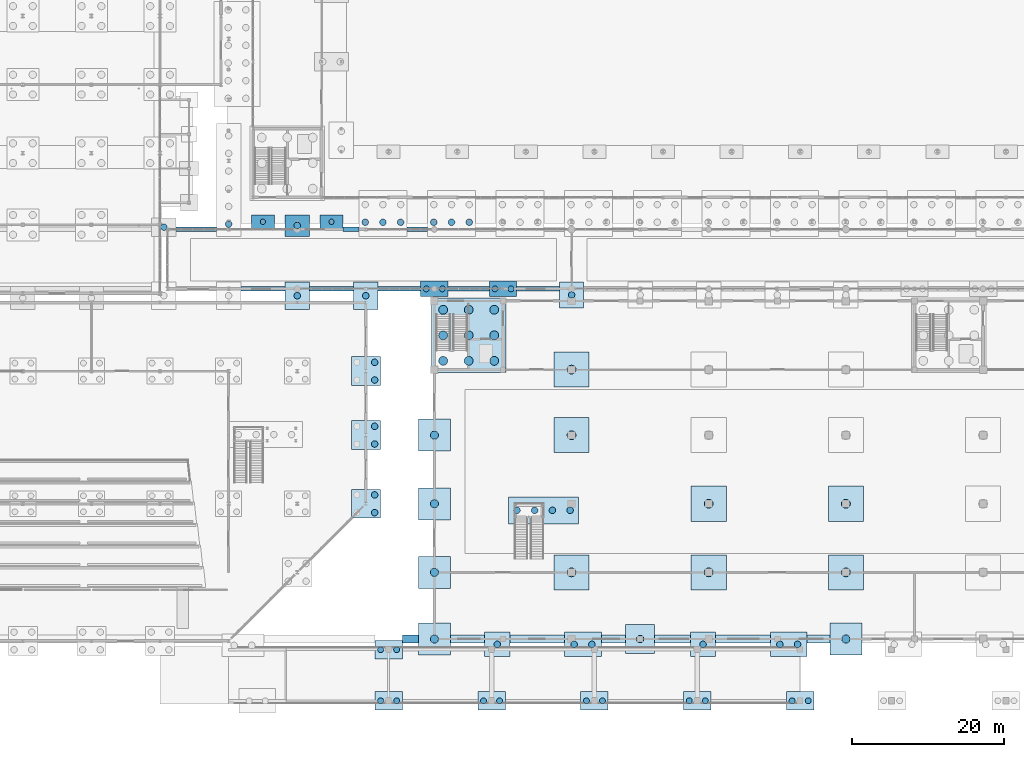
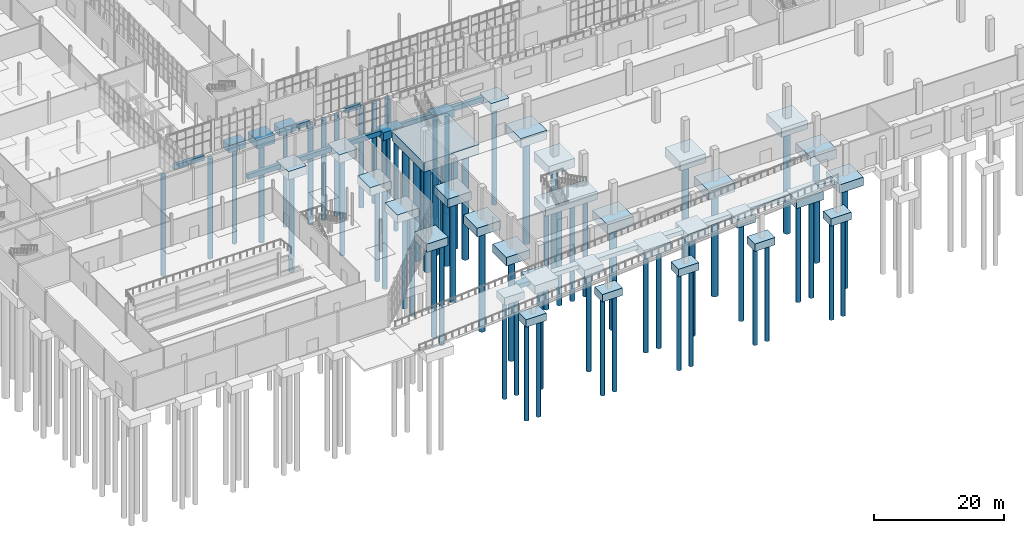
# One storey, part 2 of 131: 68 piles, 51 footings.
"""IFC4 building model written with IfcOpenShell, lengths in metres."""

import ifcopenshell
import ifcopenshell.guid

model = None  # the IFC model being written
_history = None  # IfcOwnerHistory: only IFC2X3 demands one
_inside = {}  # id of a spatial element -> (the spatial element, [elements in it])
_under = {}  # id of a project, library or spatial element -> (it, [spatial elements below it])
_declared = {}  # id of a project -> (the project, [libraries it declares])
_typed = {}  # id of a type object -> (the type object, [elements of that type])
_made_of = {}  # id of a material, layer set ... -> (it, [elements and type objects made of it])


def new_model(schema):
    """Start an empty IFC model of exactly this schema.

    Asked for "IFC4X3", IfcOpenShell would pick the latest addendum, in which some entities
    have other attributes; the version numbers below select the first issue.
    IFC2X3 requires an IfcOwnerHistory on every rooted entity: one is made here for all.
    """
    global model, _history
    if schema == "IFC4X3":
        model = ifcopenshell.file(schema_version=(4, 3, 0, 0))
    else:
        model = ifcopenshell.file(schema=schema)
    _inside.clear()
    _under.clear()
    _declared.clear()
    _typed.clear()
    _made_of.clear()
    _history = None
    if model.schema == "IFC2X3":
        org = make("IfcOrganization", Name="unknown")
        user = make(
            "IfcPersonAndOrganization",
            ThePerson=make("IfcPerson", FamilyName="unknown"),
            TheOrganization=org,
        )
        app = make(
            "IfcApplication",
            ApplicationDeveloper=org,
            Version="unknown",
            ApplicationFullName="unknown",
            ApplicationIdentifier="unknown",
        )
        _history = make(
            "IfcOwnerHistory",
            OwningUser=user,
            OwningApplication=app,
            ChangeAction="ADDED",
            CreationDate=0,
        )
    return model


def make(cls, **values):
    """One entity of the class cls with the attributes given. An attribute that is None is left unset."""
    return model.create_entity(
        cls, **{name: value for name, value in values.items() if value is not None}
    )


def rooted(cls, **values):
    """An entity with a GlobalId (a new one), such as an element, a storey or a relation."""
    return make(cls, GlobalId=ifcopenshell.guid.new(), OwnerHistory=_history, **values)


def si_unit(unit_type, name, prefix=None):
    """IfcSIUnit, for example si_unit("LENGTHUNIT", "METRE", prefix="MILLI")."""
    return make("IfcSIUnit", UnitType=unit_type, Prefix=prefix, Name=name)


def assignment(units):
    """IfcUnitAssignment: the units of a project."""
    return None if units is None else make("IfcUnitAssignment", Units=units)


def point(xyz):
    """IfcCartesianPoint."""
    return None if xyz is None else make("IfcCartesianPoint", Coordinates=xyz)


def direction(xyz):
    """IfcDirection."""
    return None if xyz is None else make("IfcDirection", DirectionRatios=xyz)


def frame(location, z_axis=None, x_axis=None):
    """IfcAxis2Placement3D, a coordinate frame: its origin and axes. An axis left out is left unset."""
    return make(
        "IfcAxis2Placement3D",
        Location=point(location),
        Axis=direction(z_axis),
        RefDirection=direction(x_axis),
    )


def frame_2d(location, x_axis=None):
    """IfcAxis2Placement2D, a coordinate frame in the plane: its origin and x axis."""
    return make(
        "IfcAxis2Placement2D", Location=point(location), RefDirection=direction(x_axis)
    )


def origin():
    """The frame at (0, 0, 0) with its axes left unset."""
    return frame((0.0, 0.0, 0.0))


def origin_2d():
    """The frame at (0, 0) in the plane with its x axis left unset."""
    return frame_2d((0.0, 0.0))


def place(relative_to, where):
    """IfcLocalPlacement: puts the frame where relative to a parent placement (None: the world)."""
    return make(
        "IfcLocalPlacement", PlacementRelTo=relative_to, RelativePlacement=where
    )


def context(
    kind, dimensions, precision=None, world=None, true_north=None, identifier=None
):
    """IfcGeometricRepresentationContext, for example the 3D "Model" context."""
    return make(
        "IfcGeometricRepresentationContext",
        ContextIdentifier=identifier,
        ContextType=kind,
        CoordinateSpaceDimension=dimensions,
        Precision=precision,
        WorldCoordinateSystem=world,
        TrueNorth=true_north,
    )


def subcontext(parent, identifier, kind, view, scale=None):
    """IfcGeometricRepresentationSubContext, for example "Body" below "Model"."""
    return make(
        "IfcGeometricRepresentationSubContext",
        ContextIdentifier=identifier,
        ContextType=kind,
        ParentContext=parent,
        TargetScale=scale,
        TargetView=view,
    )


def project(units=None, contexts=None):
    """IfcProject with its units and contexts."""
    return rooted(
        "IfcProject",
        Name="project",
        RepresentationContexts=contexts,
        UnitsInContext=assignment(units),
    )


def spatial(cls, under=None, at=None, **own):
    """A site, building, storey or space (cls), placed at a placement, below another one or the project."""
    s = rooted(cls, ObjectPlacement=at, **own)
    if under is not None:
        _under.setdefault(under.id(), (under, []))[1].append(s)
    return s


def profile(cls, at=None, kind="AREA", **sizes):
    """A parametric profile (cls). Its sizes go by their IFC names, for example OverallWidth=200.0."""
    return make(cls, ProfileType=kind, Position=at, **sizes)


def rectangle(**sizes):
    """IfcRectangleProfileDef."""
    return profile("IfcRectangleProfileDef", **sizes)


def circle(**sizes):
    """IfcCircleProfileDef."""
    return profile("IfcCircleProfileDef", **sizes)


def extrude(swept, where, along, depth):
    """IfcExtrudedAreaSolid: the profile swept, set in the frame where, extruded along a direction by depth."""
    return make(
        "IfcExtrudedAreaSolid",
        SweptArea=swept,
        Position=where,
        ExtrudedDirection=direction(along),
        Depth=depth,
    )


def shape(context_of_items, identifier, shape_type, items):
    """IfcShapeRepresentation: the items that make up one representation, for example the "Body"."""
    return make(
        "IfcShapeRepresentation",
        ContextOfItems=context_of_items,
        RepresentationIdentifier=identifier,
        RepresentationType=shape_type,
        Items=items,
    )


def material(Name=None, Category=None):
    """IfcMaterial."""
    return make("IfcMaterial", Name=Name, Category=Category)


def material_profile(
    of_material, cross_section, Name=None, Category=None, Priority=None
):
    """IfcMaterialProfile: a cross section and its material."""
    return make(
        "IfcMaterialProfile",
        Name=Name,
        Material=of_material,
        Profile=cross_section,
        Priority=Priority,
        Category=Category,
    )


def profile_set(profiles, Name=None, composite=None):
    """IfcMaterialProfileSet."""
    return make(
        "IfcMaterialProfileSet",
        Name=Name,
        MaterialProfiles=profiles,
        CompositeProfile=composite,
    )


def made_of(thing, what):
    """Note that an element or type object is made of a material, layer set ...; save() writes the relation."""
    if what is not None:
        _made_of.setdefault(what.id(), (what, []))[1].append(thing)
    return thing


def type_object(cls, material=None, **own):
    """A type object (cls), such as IfcWallType, which elements share."""
    return made_of(rooted(cls, **own), material)


def element(
    cls,
    number,
    at=None,
    inside=None,
    cuts=None,
    type_object=None,
    material=None,
    context=None,
    identifier="Body",
    shape_type=None,
    held_by="IfcProductDefinitionShape",
    body=None,
    shapes=None,
    **own,
):
    """One element of the class cls, such as IfcWall. Its Tag is "e" and its number.

    at: its placement. inside: the storey or other place that contains it. cuts: it is an
    opening in that element (IfcRelVoidsElement). A single representation is given by context,
    identifier, shape_type and body (its items); several are given by shapes. held_by: the class
    of the entity that holds the representations. save() writes the other relations.
    """
    e = rooted(cls, Tag="e%d" % number, ObjectPlacement=at, **own)
    if body is not None:
        shapes = [shape(context, identifier, shape_type, body)]
    if shapes is not None:
        e.Representation = make(held_by, Representations=shapes)
    if inside is not None:
        _inside.setdefault(inside.id(), (inside, []))[1].append(e)
    if cuts is not None:
        rooted(
            "IfcRelVoidsElement", RelatingBuildingElement=cuts, RelatedOpeningElement=e
        )
    if type_object is not None:
        _typed.setdefault(type_object.id(), (type_object, []))[1].append(e)
    return made_of(e, material)


def aggregate(whole, parts):
    """IfcRelAggregates: a whole, such as a stair, and the parts it consists of."""
    return rooted("IfcRelAggregates", RelatingObject=whole, RelatedObjects=parts)


def save(model, path):
    """Write the relations noted so far, then the file.

    IfcRelAggregates (storeys below a building ...), IfcRelContainedInSpatialStructure (elements
    in a storey), IfcRelDefinesByType, IfcRelAssociatesMaterial and IfcRelDeclares: one each for
    every whole, place, type object, material and project.
    """
    for whole, parts in _under.values():
        aggregate(whole, parts)
    for where, things in _inside.values():
        rooted(
            "IfcRelContainedInSpatialStructure",
            RelatedElements=things,
            RelatingStructure=where,
        )
    for kind, things in _typed.values():
        rooted("IfcRelDefinesByType", RelatedObjects=things, RelatingType=kind)
    for what, things in _made_of.values():
        rooted("IfcRelAssociatesMaterial", RelatedObjects=things, RelatingMaterial=what)
    for by, libraries in _declared.values():
        rooted("IfcRelDeclares", RelatingContext=by, RelatedDefinitions=libraries)
    model.write(path)


model = new_model("IFC4")

# Units and contexts
model_context = context("Model", 3, precision=1e-05, world=origin(), true_north=direction((0.0, 1.0)))
body_context = subcontext(model_context, "Body", "Model", "MODEL_VIEW")
ifc_project = project(units=[si_unit("LENGTHUNIT", "METRE"), si_unit("AREAUNIT", "SQUARE_METRE"), si_unit("VOLUMEUNIT", "CUBIC_METRE"), si_unit("PLANEANGLEUNIT", "RADIAN"), si_unit("MASSUNIT", "GRAM", prefix="KILO")], contexts=[model_context])

# Site, building, storey
site_placement = place(None, origin())
site = spatial("IfcSite", under=ifc_project, at=site_placement, CompositionType="ELEMENT")
building_placement = place(site_placement, origin())
building = spatial("IfcBuilding", under=site, at=building_placement, Name="Cazmaro Siding Exhibition Halls", CompositionType="ELEMENT")
storey_placement = place(building_placement, origin())
storey = spatial("IfcBuildingStorey", under=building, at=storey_placement, Name="L00", CompositionType="ELEMENT", Elevation=0.0)

# Footings
ifc_material_1 = material(Name="Concrete f'c 35 MPa", Category="concrete")
footing_type_1 = type_object("IfcFootingType", Name="GB-0210", PredefinedType="FOOTING_BEAM", material=ifc_material_1)
footing_1_placement = place(storey_placement, frame((61.050048828125, 63.0, -0.89990234375), z_axis=(0.0, 0.0, 1.0), x_axis=(1.0, 0.0, 0.0)))
element("IfcFooting", 1, at=footing_1_placement, inside=storey, type_object=footing_type_1, Name="Seismic tie ground beam GB-0210 FTG-0267", PredefinedType="FOOTING_BEAM", context=body_context, shape_type="SweptSolid", body=[
    extrude(rectangle(XDim=2.10009765625, YDim=0.60009765625, at=origin_2d()), origin(), (0.0, 0.0, 1.0), 0.89990234375),
])
ifc_material_2 = material(Name="Concrete f'c 35 MPa", Category="concrete")
footing_type_2 = type_object("IfcFootingType", Name="GB-0270", PredefinedType="FOOTING_BEAM", material=ifc_material_2)
footing_2_placement = place(storey_placement, frame((69.75, 63.0, -0.89990234375), z_axis=(0.0, 0.0, 1.0), x_axis=(1.0, 0.0, 0.0)))
element("IfcFooting", 2, at=footing_2_placement, inside=storey, type_object=footing_type_2, Name="Seismic tie ground beam GB-0270 FTG-0268", PredefinedType="FOOTING_BEAM", context=body_context, shape_type="SweptSolid", body=[
    extrude(rectangle(XDim=2.699951171875, YDim=0.60009765625, at=origin_2d()), origin(), (0.0, 0.0, 1.0), 0.89990234375),
])
ifc_material_3 = material(Name="Concrete f'c 35 MPa", Category="concrete")
footing_type_3 = type_object("IfcFootingType", Name="GB-0530", PredefinedType="FOOTING_BEAM", material=ifc_material_3)
footing_3_placement = place(storey_placement, frame((40.75, 63.0, -0.89990234375), z_axis=(0.0, 0.0, 1.0), x_axis=(1.0, 0.0, 0.0)))
element("IfcFooting", 3, at=footing_3_placement, inside=storey, type_object=footing_type_3, Name="Seismic tie ground beam GB-0530 FTG-0266", PredefinedType="FOOTING_BEAM", context=body_context, shape_type="SweptSolid", body=[
    extrude(rectangle(XDim=5.300048828125, YDim=0.60009765625, at=origin_2d()), origin(), (0.0, 0.0, 1.0), 0.89990234375),
])
ifc_material_4 = material(Name="Concrete f'c 35 MPa", Category="concrete")
footing_type_4 = type_object("IfcFootingType", Name="GB-0540", PredefinedType="FOOTING_BEAM", material=ifc_material_4)
footing_4_placement = place(storey_placement, frame((76.5, 55.199951171875, -0.89990234375), z_axis=(0.0, 0.0, 1.0), x_axis=(1.0, 0.0, 0.0)))
element("IfcFooting", 4, at=footing_4_placement, inside=storey, type_object=footing_type_4, Name="Seismic tie ground beam GB-0540 FTG-0250", PredefinedType="FOOTING_BEAM", context=body_context, shape_type="SweptSolid", body=[
    extrude(rectangle(XDim=5.39990234375, YDim=0.60009765625, at=origin_2d()), origin(), (0.0, 0.0, 1.0), 0.89990234375),
])
ifc_material_5 = material(Name="Concrete f'c 35 MPa", Category="concrete")
footing_type_5 = type_object("IfcFootingType", Name="GB-0560", PredefinedType="FOOTING_BEAM", material=ifc_material_5)
for number, where, z_axis, x_axis, name in (
    (5, (67.39990234375, 55.199951171875, -0.89990234375), (0.0, 0.0, 1.0), (1.0, 0.0, 0.0), "Seismic tie ground beam GB-0560 FTG-0249"),
    (6, (85.60009765625, 55.199951171875, -0.89990234375), (0.0, 0.0, 1.0), (1.0, 0.0, 0.0), "Seismic tie ground beam GB-0560 FTG-0251"),
):
    element("IfcFooting", number, at=place(storey_placement, frame(where, z_axis=z_axis, x_axis=x_axis)), inside=storey, type_object=footing_type_5, Name=name, PredefinedType="FOOTING_BEAM", context=body_context, shape_type="SweptSolid", body=[
        extrude(rectangle(XDim=5.60009765625, YDim=0.60009765625, at=origin_2d()), origin(), (0.0, 0.0, 1.0), 0.89990234375),
    ])
ifc_material_6 = material(Name="Concrete f'c 35 MPa", Category="concrete")
footing_type_6 = type_object("IfcFootingType", Name="GB-0580", PredefinedType="FOOTING_BEAM", material=ifc_material_6)
for number, where, z_axis, x_axis, name in (
    (7, (49.5, 55.199951171875, -0.89990234375), (0.0, 0.0, 1.0), (1.0, 0.0, 0.0), "Seismic tie ground beam GB-0580 FTG-0247"),
    (8, (58.5, 55.199951171875, -0.89990234375), (0.0, 0.0, 1.0), (1.0, 0.0, 0.0), "Seismic tie ground beam GB-0580 FTG-0248"),
):
    element("IfcFooting", number, at=place(storey_placement, frame(where, z_axis=z_axis, x_axis=x_axis)), inside=storey, type_object=footing_type_6, Name=name, PredefinedType="FOOTING_BEAM", context=body_context, shape_type="SweptSolid", body=[
        extrude(rectangle(XDim=5.800048828125, YDim=0.60009765625, at=origin_2d()), origin(), (0.0, 0.0, 1.0), 0.89990234375),
    ])

# Piles
ifc_material_7 = material(Name="Concrete f'c 35 MPa", Category="concrete")
ifc_material_profile_1 = material_profile(ifc_material_7, circle(Radius=0.35009765625, at=origin_2d()), Name="CIDH-700")
ifc_profile_set_1 = profile_set([ifc_material_profile_1], Name="Concrete f'c 35 MPa")
pile_type_1 = type_object("IfcPileType", Name="P-01", PredefinedType="BORED", material=ifc_profile_set_1)
for number, where, z_axis, x_axis, name in (
    (9, (49.5, 64.0, -1.300048828125), (0.0, 0.0, -1.0), (1.0, 0.0, 0.0), "Bored pile P-01 PIL-0326"),
    (10, (58.5, 64.0, -1.300048828125), (0.0, 0.0, -1.0), (1.0, 0.0, 0.0), "Bored pile P-01 PIL-0359"),
):
    element("IfcPile", number, at=place(storey_placement, frame(where, z_axis=z_axis, x_axis=x_axis)), inside=storey, type_object=pile_type_1, Name=name, PredefinedType="BORED", context=body_context, shape_type="SweptSolid", body=[
        extrude(circle(Radius=0.35009765625, at=origin_2d()), origin(), (0.0, 0.0, 1.0), 18.0),
    ])
ifc_material_8 = material(Name="Concrete f'c 35 MPa", Category="concrete")
ifc_material_profile_2 = material_profile(ifc_material_8, circle(Radius=0.389892578125, at=origin_2d()), Name="CIDH-780")
ifc_profile_set_2 = profile_set([ifc_material_profile_2], Name="Concrete f'c 35 MPa")
pile_type_2 = type_object("IfcPileType", Name="P-02", PredefinedType="BORED", material=ifc_profile_set_2)
for number, where, z_axis, x_axis, name in (
    (11, (64.947021484375, 1.14990234375, -1.300048828125), (0.0, 0.0, -1.0), (1.0, 0.0, 0.0), "Bored pile P-02 PIL-0387"),
    (12, (67.052978515625, 1.14990234375, -1.300048828125), (0.0, 0.0, -1.0), (1.0, 0.0, 0.0), "Bored pile P-02 PIL-0388"),
    (13, (64.947021484375, 7.85009765625, -1.300048828125), (0.0, 0.0, -1.0), (1.0, 0.0, 0.0), "Bored pile P-02 PIL-0389"),
    (14, (67.052978515625, 7.85009765625, -1.300048828125), (0.0, 0.0, -1.0), (1.0, 0.0, 0.0), "Bored pile P-02 PIL-0390"),
    (15, (70.947021484375, 55.199951171875, -1.35009765625), (0.0, 0.0, -1.0), (1.0, 0.0, 0.0), "Bored pile P-02 PIL-0396"),
    (16, (73.052978515625, 55.199951171875, -1.35009765625), (0.0, 0.0, -1.0), (1.0, 0.0, 0.0), "Bored pile P-02 PIL-0397"),
    (17, (78.447021484375, 1.14990234375, -1.300048828125), (0.0, 0.0, -1.0), (1.0, 0.0, 0.0), "Bored pile P-02 PIL-0412"),
    (18, (80.552978515625, 1.14990234375, -1.300048828125), (0.0, 0.0, -1.0), (1.0, 0.0, 0.0), "Bored pile P-02 PIL-0413"),
    (19, (79.947021484375, 55.199951171875, -1.35009765625), (0.0, 0.0, -1.0), (1.0, 0.0, 0.0), "Bored pile P-02 PIL-0415"),
    (20, (82.052978515625, 55.199951171875, -1.35009765625), (0.0, 0.0, -1.0), (1.0, 0.0, 0.0), "Bored pile P-02 PIL-0416"),
    (21, (91.947021484375, 1.14990234375, -1.300048828125), (0.0, 0.0, -1.0), (1.0, 0.0, 0.0), "Bored pile P-02 PIL-0453"),
    (22, (94.052978515625, 1.14990234375, -1.300048828125), (0.0, 0.0, -1.0), (1.0, 0.0, 0.0), "Bored pile P-02 PIL-0454"),
    (23, (105.447021484375, 1.14990234375, -1.300048828125), (0.0, 0.0, -1.0), (1.0, 0.0, 0.0), "Bored pile P-02 PIL-0473"),
    (24, (107.552978515625, 1.14990234375, -1.300048828125), (0.0, 0.0, -1.0), (1.0, 0.0, 0.0), "Bored pile P-02 PIL-0474"),
    (25, (118.947021484375, 1.14990234375, -1.300048828125), (0.0, 0.0, -1.0), (1.0, 0.0, 0.0), "Bored pile P-02 PIL-0510"),
    (26, (121.052978515625, 1.14990234375, -1.300048828125), (0.0, 0.0, -1.0), (1.0, 0.0, 0.0), "Bored pile P-02 PIL-0511"),
):
    element("IfcPile", number, at=place(storey_placement, frame(where, z_axis=z_axis, x_axis=x_axis)), inside=storey, type_object=pile_type_2, Name=name, PredefinedType="BORED", context=body_context, shape_type="SweptSolid", body=[
        extrude(circle(Radius=0.389892578125, at=origin_2d()), origin(), (0.0, 0.0, 1.0), 18.39990234375),
    ])
ifc_material_9 = material(Name="Concrete f'c 35 MPa", Category="concrete")
ifc_material_profile_3 = material_profile(ifc_material_9, circle(Radius=0.429931640625, at=origin_2d()), Name="CIDH-860")
ifc_profile_set_3 = profile_set([ifc_material_profile_3], Name="Concrete f'c 35 MPa")
pile_type_3 = type_object("IfcPileType", Name="P-03", PredefinedType="BORED", material=ifc_profile_set_3)
for number, where, z_axis, x_axis, name in (
    (27, (36.5, 63.300048828125, -1.5), (0.0, 0.0, -1.0), (1.0, 0.0, 0.0), "Bored pile P-03 PIL-0237"),
    (28, (45.0, 63.695068359375, -1.5), (0.0, 0.0, -1.0), (1.0, 0.0, 0.0), "Bored pile P-03 PIL-0314"),
    (29, (54.0, 54.300048828125, -1.5), (0.0, 0.0, -1.0), (1.0, 0.0, 0.0), "Bored pile P-03 PIL-0340"),
    (30, (54.0, 63.5, -1.5), (0.0, 0.0, -1.0), (1.0, 0.0, 0.0), "Bored pile P-03 PIL-0341"),
    (31, (64.160888671875, 25.839111328125, -1.449951171875), (0.0, 0.0, -1.0), (1.0, 0.0, 0.0), "Bored pile P-03 PIL-0363"),
    (32, (64.160888671875, 28.160888671875, -1.449951171875), (0.0, 0.0, -1.0), (1.0, 0.0, 0.0), "Bored pile P-03 PIL-0365"),
    (33, (64.160888671875, 34.839111328125, -1.449951171875), (0.0, 0.0, -1.0), (1.0, 0.0, 0.0), "Bored pile P-03 PIL-0367"),
    (34, (64.160888671875, 37.160888671875, -1.449951171875), (0.0, 0.0, -1.0), (1.0, 0.0, 0.0), "Bored pile P-03 PIL-0369"),
    (35, (64.160888671875, 43.239013671875, -1.449951171875), (0.0, 0.0, -1.0), (1.0, 0.0, 0.0), "Bored pile P-03 PIL-0371"),
    (36, (64.160888671875, 45.56103515625, -1.449951171875), (0.0, 0.0, -1.0), (1.0, 0.0, 0.0), "Bored pile P-03 PIL-0373"),
    (37, (63.0, 54.300048828125, -1.5), (0.0, 0.0, -1.0), (1.0, 0.0, 0.0), "Bored pile P-03 PIL-0374"),
    (38, (62.927978515625, 63.93896484375, -1.5), (0.0, 0.0, -1.0), (1.0, 0.0, 0.0), "Bored pile P-03 PIL-0375"),
    (39, (65.25, 63.93896484375, -1.5), (0.0, 0.0, -1.0), (1.0, 0.0, 0.0), "Bored pile P-03 PIL-0377"),
    (40, (67.572021484375, 63.93896484375, -1.5), (0.0, 0.0, -1.0), (1.0, 0.0, 0.0), "Bored pile P-03 PIL-0379"),
    (41, (71.927978515625, 63.93896484375, -1.5), (0.0, 0.0, -1.0), (1.0, 0.0, 0.0), "Bored pile P-03 PIL-0398"),
    (42, (74.25, 63.93896484375, -1.5), (0.0, 0.0, -1.0), (1.0, 0.0, 0.0), "Bored pile P-03 PIL-0400"),
    (43, (76.572021484375, 63.93896484375, -1.5), (0.0, 0.0, -1.0), (1.0, 0.0, 0.0), "Bored pile P-03 PIL-0402"),
    (44, (80.25, 8.550048828125, -1.5), (0.0, 0.0, -1.0), (1.0, 0.0, 0.0), "Bored pile P-03 PIL-0414"),
    (45, (82.842041015625, 26.135009765625, -1.5), (0.0, 0.0, -1.0), (1.0, 0.0, 0.0), "Bored pile P-03 PIL-0429"),
    (46, (85.1640625, 26.135009765625, -1.5), (0.0, 0.0, -1.0), (1.0, 0.0, 0.0), "Bored pile P-03 PIL-0430"),
    (47, (87.486083984375, 26.135009765625, -1.5), (0.0, 0.0, -1.0), (1.0, 0.0, 0.0), "Bored pile P-03 PIL-0431"),
    (48, (89.80810546875, 26.135009765625, -1.5), (0.0, 0.0, -1.0), (1.0, 0.0, 0.0), "Bored pile P-03 PIL-0432"),
    (49, (90.339111328125, 8.550048828125, -1.5), (0.0, 0.0, -1.0), (1.0, 0.0, 0.0), "Bored pile P-03 PIL-0435"),
    (50, (92.660888671875, 8.550048828125, -1.5), (0.0, 0.0, -1.0), (1.0, 0.0, 0.0), "Bored pile P-03 PIL-0436"),
    (51, (90.0, 54.39990234375, -1.5), (0.0, 0.0, -1.0), (1.0, 0.0, 0.0), "Bored pile P-03 PIL-0440"),
    (52, (107.25, 8.550048828125, -1.5), (0.0, 0.0, -1.0), (1.0, 0.0, 0.0), "Bored pile P-03 PIL-0475"),
    (53, (117.339111328125, 8.550048828125, -1.5), (0.0, 0.0, -1.0), (1.0, 0.0, 0.0), "Bored pile P-03 PIL-0495"),
    (54, (119.660888671875, 8.550048828125, -1.5), (0.0, 0.0, -1.0), (1.0, 0.0, 0.0), "Bored pile P-03 PIL-0496"),
):
    element("IfcPile", number, at=place(storey_placement, frame(where, z_axis=z_axis, x_axis=x_axis)), inside=storey, type_object=pile_type_3, Name=name, PredefinedType="BORED", context=body_context, shape_type="SweptSolid", body=[
        extrude(circle(Radius=0.429931640625, at=origin_2d()), origin(), (0.0, 0.0, 1.0), 18.800048828125),
    ])
ifc_material_10 = material(Name="Concrete f'c 35 MPa", Category="concrete")
ifc_material_profile_4 = material_profile(ifc_material_10, circle(Radius=0.47998046875, at=origin_2d()), Name="CIDH-960")
ifc_profile_set_4 = profile_set([ifc_material_profile_4], Name="Concrete f'c 35 MPa")
pile_type_4 = type_object("IfcPileType", Name="P-04", PredefinedType="BORED", material=ifc_profile_set_4)
pile_placement = place(storey_placement, frame((99.0, 9.25, -1.449951171875), z_axis=(0.0, 0.0, -1.0), x_axis=(1.0, 0.0, 0.0)))
element("IfcPile", 55, at=pile_placement, inside=storey, type_object=pile_type_4, Name="Bored pile P-04 PIL-0457", PredefinedType="BORED", context=body_context, shape_type="SweptSolid", body=[
    extrude(circle(Radius=0.47998046875, at=origin_2d()), origin(), (0.0, 0.0, 1.0), 19.199951171875),
])
ifc_material_11 = material(Name="Concrete f'c 35 MPa", Category="concrete")
ifc_material_profile_5 = material_profile(ifc_material_11, circle(Radius=0.530029296875, at=origin_2d()), Name="CIDH-1060")
ifc_profile_set_5 = profile_set([ifc_material_profile_5], Name="Concrete f'c 35 MPa")
pile_type_5 = type_object("IfcPileType", Name="P-05", PredefinedType="BORED", material=ifc_profile_set_5)
for number, where, z_axis, x_axis, name in (
    (56, (72.0, 9.25, -1.5), (0.0, 0.0, -1.0), (1.0, 0.0, 0.0), "Bored pile P-05 PIL-0392"),
    (57, (72.0, 18.0, -1.5), (0.0, 0.0, -1.0), (1.0, 0.0, 0.0), "Bored pile P-05 PIL-0393"),
    (58, (72.0, 27.0, -1.5), (0.0, 0.0, -1.0), (1.0, 0.0, 0.0), "Bored pile P-05 PIL-0394"),
    (59, (72.0, 36.0, -1.5), (0.0, 0.0, -1.0), (1.0, 0.0, 0.0), "Bored pile P-05 PIL-0395"),
    (60, (126.0, 9.25, -1.5), (0.0, 0.0, -1.0), (1.0, 0.0, 0.0), "Bored pile P-05 PIL-0514"),
):
    element("IfcPile", number, at=place(storey_placement, frame(where, z_axis=z_axis, x_axis=x_axis)), inside=storey, type_object=pile_type_5, Name=name, PredefinedType="BORED", context=body_context, shape_type="SweptSolid", body=[
        extrude(circle(Radius=0.530029296875, at=origin_2d()), origin(), (0.0, 0.0, 1.0), 19.60009765625),
    ])
ifc_material_12 = material(Name="Concrete f'c 35 MPa", Category="concrete")
ifc_material_profile_6 = material_profile(ifc_material_12, circle(Radius=0.580078125, at=origin_2d()), Name="CIDH-1160")
ifc_profile_set_6 = profile_set([ifc_material_profile_6], Name="Concrete f'c 35 MPa")
pile_type_6 = type_object("IfcPileType", Name="P-06", PredefinedType="BORED", material=ifc_profile_set_6)
for number, where, z_axis, x_axis, name in (
    (61, (73.14990234375, 45.75, -1.699951171875), (0.0, 0.0, -1.0), (1.0, 0.0, 0.0), "Bored pile P-06 PIL-0034"),
    (62, (73.14990234375, 49.10009765625, -1.699951171875), (0.0, 0.0, -1.0), (1.0, 0.0, 0.0), "Bored pile P-06 PIL-0035"),
    (63, (73.14990234375, 52.449951171875, -1.699951171875), (0.0, 0.0, -1.0), (1.0, 0.0, 0.0), "Bored pile P-06 PIL-0036"),
    (64, (76.5, 45.75, -1.699951171875), (0.0, 0.0, -1.0), (1.0, 0.0, 0.0), "Bored pile P-06 PIL-0037"),
    (65, (76.5, 49.10009765625, -1.699951171875), (0.0, 0.0, -1.0), (1.0, 0.0, 0.0), "Bored pile P-06 PIL-0038"),
    (66, (76.5, 52.449951171875, -1.699951171875), (0.0, 0.0, -1.0), (1.0, 0.0, 0.0), "Bored pile P-06 PIL-0039"),
    (67, (79.85009765625, 45.75, -1.699951171875), (0.0, 0.0, -1.0), (1.0, 0.0, 0.0), "Bored pile P-06 PIL-0040"),
    (68, (79.85009765625, 49.10009765625, -1.699951171875), (0.0, 0.0, -1.0), (1.0, 0.0, 0.0), "Bored pile P-06 PIL-0041"),
    (69, (79.85009765625, 52.449951171875, -1.699951171875), (0.0, 0.0, -1.0), (1.0, 0.0, 0.0), "Bored pile P-06 PIL-0042"),
    (70, (90.0, 18.0, -1.60009765625), (0.0, 0.0, -1.0), (1.0, 0.0, 0.0), "Bored pile P-06 PIL-0437"),
    (71, (90.0, 36.0, -1.60009765625), (0.0, 0.0, -1.0), (1.0, 0.0, 0.0), "Bored pile P-06 PIL-0438"),
    (72, (90.0, 44.60009765625, -1.60009765625), (0.0, 0.0, -1.0), (1.0, 0.0, 0.0), "Bored pile P-06 PIL-0439"),
    (73, (108.0, 18.0, -1.60009765625), (0.0, 0.0, -1.0), (1.0, 0.0, 0.0), "Bored pile P-06 PIL-0476"),
    (74, (108.0, 27.0, -1.60009765625), (0.0, 0.0, -1.0), (1.0, 0.0, 0.0), "Bored pile P-06 PIL-0477"),
    (75, (126.0, 18.0, -1.60009765625), (0.0, 0.0, -1.0), (1.0, 0.0, 0.0), "Bored pile P-06 PIL-0515"),
    (76, (126.0, 27.0, -1.60009765625), (0.0, 0.0, -1.0), (1.0, 0.0, 0.0), "Bored pile P-06 PIL-0516"),
):
    element("IfcPile", number, at=place(storey_placement, frame(where, z_axis=z_axis, x_axis=x_axis)), inside=storey, type_object=pile_type_6, Name=name, PredefinedType="BORED", context=body_context, shape_type="SweptSolid", body=[
        extrude(circle(Radius=0.580078125, at=origin_2d()), origin(), (0.0, 0.0, 1.0), 20.0),
    ])

# Footings
ifc_material_13 = material(Name="Concrete f'c 35 MPa", Category="concrete")
footing_type_7 = type_object("IfcFootingType", Name="PC-01", PredefinedType="PILE_CAP", material=ifc_material_13)
for number, where, z_axis, x_axis, name in (
    (77, (49.5, 64.0, -1.39990234375), (0.0, 0.0, 1.0), (1.0, 0.0, 0.0), "Pile cap PC-01 FTG-0074"),
    (78, (58.5, 64.0, -1.39990234375), (0.0, 0.0, 1.0), (1.0, 0.0, 0.0), "Pile cap PC-01 FTG-0086"),
):
    element("IfcFooting", number, at=place(storey_placement, frame(where, z_axis=z_axis, x_axis=x_axis)), inside=storey, type_object=footing_type_7, Name=name, PredefinedType="PILE_CAP", context=body_context, shape_type="SweptSolid", body=[
        extrude(rectangle(XDim=3.0, YDim=1.800048828125, at=origin_2d()), origin(), (0.0, 0.0, 1.0), 1.39990234375),
    ])
ifc_material_14 = material(Name="Concrete f'c 35 MPa", Category="concrete")
footing_type_8 = type_object("IfcFootingType", Name="PC-03", PredefinedType="PILE_CAP", material=ifc_material_14)
for number, where, z_axis, x_axis, name in (
    (79, (63.0, 27.0, -1.5498046875), (0.0, 0.0, 1.0), (1.0, 0.0, 0.0), "Pile cap PC-03 FTG-0088"),
    (80, (63.0, 36.0, -1.5498046875), (0.0, 0.0, 1.0), (1.0, 0.0, 0.0), "Pile cap PC-03 FTG-0089"),
    (81, (63.0, 44.39990234375, -1.5498046875), (0.0, 0.0, 1.0), (1.0, 0.0, 0.0), "Pile cap PC-03 FTG-0090"),
    (82, (99.0, 9.25, -1.5498046875), (0.0, 0.0, 1.0), (1.0, 0.0, 0.0), "Pile cap PC-03 FTG-0124"),
):
    element("IfcFooting", number, at=place(storey_placement, frame(where, z_axis=z_axis, x_axis=x_axis)), inside=storey, type_object=footing_type_8, Name=name, PredefinedType="PILE_CAP", context=body_context, shape_type="SweptSolid", body=[
        extrude(rectangle(XDim=3.800048828125, YDim=3.800048828125, at=origin_2d()), origin(), (0.0, 0.0, 1.0), 1.550048828125),
    ])
ifc_material_15 = material(Name="Concrete f'c 35 MPa", Category="concrete")
footing_type_9 = type_object("IfcFootingType", Name="PC-04", PredefinedType="PILE_CAP", material=ifc_material_15)
for number, where, z_axis, x_axis, name in (
    (83, (72.0, 9.25, -1.60009765625), (0.0, 0.0, 1.0), (1.0, 0.0, 0.0), "Pile cap PC-04 FTG-0097"),
    (84, (72.0, 18.0, -1.60009765625), (0.0, 0.0, 1.0), (1.0, 0.0, 0.0), "Pile cap PC-04 FTG-0098"),
    (85, (72.0, 27.0, -1.60009765625), (0.0, 0.0, 1.0), (1.0, 0.0, 0.0), "Pile cap PC-04 FTG-0099"),
    (86, (72.0, 36.0, -1.60009765625), (0.0, 0.0, 1.0), (1.0, 0.0, 0.0), "Pile cap PC-04 FTG-0100"),
    (87, (126.0, 9.25, -1.60009765625), (0.0, 0.0, 1.0), (1.0, 0.0, 0.0), "Pile cap PC-04 FTG-0148"),
):
    element("IfcFooting", number, at=place(storey_placement, frame(where, z_axis=z_axis, x_axis=x_axis)), inside=storey, type_object=footing_type_9, Name=name, PredefinedType="PILE_CAP", context=body_context, shape_type="SweptSolid", body=[
        extrude(rectangle(XDim=4.199951171875, YDim=4.199951171875, at=origin_2d()), origin(), (0.0, 0.0, 1.0), 1.60009765625),
    ])
ifc_material_16 = material(Name="Concrete f'c 35 MPa", Category="concrete")
footing_type_10 = type_object("IfcFootingType", Name="PC-05", PredefinedType="PILE_CAP", material=ifc_material_16)
for number, where, z_axis, x_axis, name in (
    (88, (90.0, 18.0, -1.7001953125), (0.0, 0.0, 1.0), (1.0, 0.0, 0.0), "Pile cap PC-05 FTG-0115"),
    (89, (90.0, 36.0, -1.7001953125), (0.0, 0.0, 1.0), (1.0, 0.0, 0.0), "Pile cap PC-05 FTG-0116"),
    (90, (90.0, 44.60009765625, -1.7001953125), (0.0, 0.0, 1.0), (1.0, 0.0, 0.0), "Pile cap PC-05 FTG-0117"),
    (91, (108.0, 18.0, -1.7001953125), (0.0, 0.0, 1.0), (1.0, 0.0, 0.0), "Pile cap PC-05 FTG-0132"),
    (92, (108.0, 27.0, -1.7001953125), (0.0, 0.0, 1.0), (1.0, 0.0, 0.0), "Pile cap PC-05 FTG-0133"),
    (93, (126.0, 18.0, -1.7001953125), (0.0, 0.0, 1.0), (1.0, 0.0, 0.0), "Pile cap PC-05 FTG-0149"),
    (94, (126.0, 27.0, -1.7001953125), (0.0, 0.0, 1.0), (1.0, 0.0, 0.0), "Pile cap PC-05 FTG-0150"),
):
    element("IfcFooting", number, at=place(storey_placement, frame(where, z_axis=z_axis, x_axis=x_axis)), inside=storey, type_object=footing_type_10, Name=name, PredefinedType="PILE_CAP", context=body_context, shape_type="SweptSolid", body=[
        extrude(rectangle(XDim=4.60009765625, YDim=4.60009765625, at=origin_2d()), origin(), (0.0, 0.0, 1.0), 1.699951171875),
    ])
ifc_material_17 = material(Name="Concrete f'c 35 MPa", Category="concrete")
footing_type_11 = type_object("IfcFootingType", Name="PC-06", PredefinedType="PILE_CAP", material=ifc_material_17)
for number, where, z_axis, x_axis, name in (
    (95, (72.0, 55.199951171875, -1.4501953125), (0.0, 0.0, 1.0), (1.0, 0.0, 0.0), "Pile cap PC-06 FTG-0101"),
    (96, (81.0, 55.199951171875, -1.4501953125), (0.0, 0.0, 1.0), (1.0, 0.0, 0.0), "Pile cap PC-06 FTG-0108"),
):
    element("IfcFooting", number, at=place(storey_placement, frame(where, z_axis=z_axis, x_axis=x_axis)), inside=storey, type_object=footing_type_11, Name=name, PredefinedType="PILE_CAP", context=body_context, shape_type="SweptSolid", body=[
        extrude(rectangle(XDim=3.60009765625, YDim=2.0, at=origin_2d()), origin(), (0.0, 0.0, 1.0), 1.449951171875),
    ])
ifc_material_18 = material(Name="Concrete f'c 35 MPa", Category="concrete")
footing_type_12 = type_object("IfcFootingType", Name="PC-12", PredefinedType="PILE_CAP", material=ifc_material_18)
footing_5_placement = place(storey_placement, frame((76.5, 49.10009765625, -1.7998046875), z_axis=(0.0, 0.0, 1.0), x_axis=(1.0, 0.0, 0.0)))
element("IfcFooting", 97, at=footing_5_placement, inside=storey, type_object=footing_type_12, Name="Pile cap PC-12 FTG-0004", PredefinedType="PILE_CAP", context=body_context, shape_type="SweptSolid", body=[
    extrude(rectangle(XDim=9.800048828125, YDim=9.800048828125, at=origin_2d()), origin(), (0.0, 0.0, 1.0), 1.800048828125),
])
ifc_material_19 = material(Name="Concrete f'c 35 MPa", Category="concrete")
footing_type_13 = type_object("IfcFootingType", Name="PC-15", PredefinedType="PILE_CAP", material=ifc_material_19)
for number, where, z_axis, x_axis, name in (
    (98, (66.0, 1.14990234375, -1.39990234375), (0.0, 0.0, 1.0), (1.0, 0.0, 0.0), "Pile cap PC-15 FTG-0094"),
    (99, (66.0, 7.85009765625, -1.39990234375), (0.0, 0.0, 1.0), (1.0, 0.0, 0.0), "Pile cap PC-15 FTG-0095"),
    (100, (79.5, 1.14990234375, -1.39990234375), (0.0, 0.0, 1.0), (1.0, 0.0, 0.0), "Pile cap PC-15 FTG-0106"),
    (101, (93.0, 1.14990234375, -1.39990234375), (0.0, 0.0, 1.0), (1.0, 0.0, 0.0), "Pile cap PC-15 FTG-0121"),
    (102, (106.5, 1.14990234375, -1.39990234375), (0.0, 0.0, 1.0), (1.0, 0.0, 0.0), "Pile cap PC-15 FTG-0130"),
    (103, (120.0, 1.14990234375, -1.39990234375), (0.0, 0.0, 1.0), (1.0, 0.0, 0.0), "Pile cap PC-15 FTG-0145"),
):
    element("IfcFooting", number, at=place(storey_placement, frame(where, z_axis=z_axis, x_axis=x_axis)), inside=storey, type_object=footing_type_13, Name=name, PredefinedType="PILE_CAP", context=body_context, shape_type="SweptSolid", body=[
        extrude(rectangle(XDim=3.60009765625, YDim=2.39990234375, at=origin_2d()), origin(), (0.0, 0.0, 1.0), 1.39990234375),
    ])
ifc_material_20 = material(Name="Concrete f'c 35 MPa", Category="concrete")
footing_type_14 = type_object("IfcFootingType", Name="PC-29", PredefinedType="PILE_CAP", material=ifc_material_20)
footing_6_placement = place(storey_placement, frame((54.0, 54.300048828125, -1.60009765625), z_axis=(0.0, 0.0, 1.0), x_axis=(1.0, 0.0, 0.0)))
element("IfcFooting", 104, at=footing_6_placement, inside=storey, type_object=footing_type_14, Name="Pile cap PC-29 FTG-0079", PredefinedType="PILE_CAP", context=body_context, shape_type="SweptSolid", body=[
    extrude(rectangle(XDim=3.199951171875, YDim=3.60009765625, at=origin_2d()), origin(), (0.0, 0.0, 1.0), 1.60009765625),
])
ifc_material_21 = material(Name="Concrete f'c 35 MPa", Category="concrete")
footing_type_15 = type_object("IfcFootingType", Name="PC-30", PredefinedType="PILE_CAP", material=ifc_material_21)
footing_7_placement = place(storey_placement, frame((54.0, 63.5, -1.60009765625), z_axis=(0.0, 0.0, 1.0), x_axis=(1.0, 0.0, 0.0)))
element("IfcFooting", 105, at=footing_7_placement, inside=storey, type_object=footing_type_15, Name="Pile cap PC-30 FTG-0080", PredefinedType="PILE_CAP", context=body_context, shape_type="SweptSolid", body=[
    extrude(rectangle(XDim=3.199951171875, YDim=2.800048828125, at=origin_2d()), origin(), (0.0, 0.0, 1.0), 1.60009765625),
])
ifc_material_22 = material(Name="Concrete f'c 35 MPa", Category="concrete")
footing_type_16 = type_object("IfcFootingType", Name="PC-37", PredefinedType="PILE_CAP", material=ifc_material_22)
footing_8_placement = place(storey_placement, frame((63.0, 54.300048828125, -1.60009765625), z_axis=(0.0, 0.0, 1.0), x_axis=(1.0, 0.0, 0.0)))
element("IfcFooting", 106, at=footing_8_placement, inside=storey, type_object=footing_type_16, Name="Pile cap PC-37 FTG-0091", PredefinedType="PILE_CAP", context=body_context, shape_type="SweptSolid", body=[
    extrude(rectangle(XDim=3.199951171875, YDim=3.60009765625, at=origin_2d()), origin(), (0.0, 0.0, 1.0), 1.60009765625),
])
ifc_material_23 = material(Name="Concrete f'c 35 MPa", Category="concrete")
footing_type_17 = type_object("IfcFootingType", Name="PC-42", PredefinedType="PILE_CAP", material=ifc_material_23)
footing_9_placement = place(storey_placement, frame((80.25, 8.550048828125, -1.60009765625), z_axis=(0.0, 0.0, 1.0), x_axis=(1.0, 0.0, 0.0)))
element("IfcFooting", 107, at=footing_9_placement, inside=storey, type_object=footing_type_17, Name="Pile cap PC-42 FTG-0107", PredefinedType="PILE_CAP", context=body_context, shape_type="SweptSolid", body=[
    extrude(rectangle(XDim=3.300048828125, YDim=3.199951171875, at=origin_2d()), origin(), (0.0, 0.0, 1.0), 1.60009765625),
])
ifc_material_24 = material(Name="Concrete f'c 35 MPa", Category="concrete")
footing_type_18 = type_object("IfcFootingType", Name="PC-45", PredefinedType="PILE_CAP", material=ifc_material_24)
footing_10_placement = place(storey_placement, frame((86.324951171875, 26.135009765625, -1.60009765625), z_axis=(0.0, 0.0, 1.0), x_axis=(1.0, 0.0, 0.0)))
element("IfcFooting", 108, at=footing_10_placement, inside=storey, type_object=footing_type_18, Name="Pile cap PC-45 FTG-0111", PredefinedType="PILE_CAP", context=body_context, shape_type="SweptSolid", body=[
    extrude(rectangle(XDim=9.14990234375, YDim=3.530029296875, at=origin_2d()), origin(), (0.0, 0.0, 1.0), 1.60009765625),
])
ifc_material_25 = material(Name="Concrete f'c 35 MPa", Category="concrete")
footing_type_19 = type_object("IfcFootingType", Name="PC-46", PredefinedType="PILE_CAP", material=ifc_material_25)
footing_11_placement = place(storey_placement, frame((91.5, 8.550048828125, -1.60009765625), z_axis=(0.0, 0.0, 1.0), x_axis=(1.0, 0.0, 0.0)))
element("IfcFooting", 109, at=footing_11_placement, inside=storey, type_object=footing_type_19, Name="Pile cap PC-46 FTG-0114", PredefinedType="PILE_CAP", context=body_context, shape_type="SweptSolid", body=[
    extrude(rectangle(XDim=4.800048828125, YDim=3.199951171875, at=origin_2d()), origin(), (0.0, 0.0, 1.0), 1.60009765625),
])
ifc_material_26 = material(Name="Concrete f'c 35 MPa", Category="concrete")
footing_type_20 = type_object("IfcFootingType", Name="PC-47", PredefinedType="PILE_CAP", material=ifc_material_26)
footing_12_placement = place(storey_placement, frame((90.0, 54.39990234375, -1.60009765625), z_axis=(0.0, 0.0, 1.0), x_axis=(1.0, 0.0, 0.0)))
element("IfcFooting", 110, at=footing_12_placement, inside=storey, type_object=footing_type_20, Name="Pile cap PC-47 FTG-0118", PredefinedType="PILE_CAP", context=body_context, shape_type="SweptSolid", body=[
    extrude(rectangle(XDim=3.199951171875, YDim=3.39990234375, at=origin_2d()), origin(), (0.0, 0.0, 1.0), 1.60009765625),
])
ifc_material_27 = material(Name="Concrete f'c 35 MPa", Category="concrete")
footing_type_21 = type_object("IfcFootingType", Name="PC-53", PredefinedType="PILE_CAP", material=ifc_material_27)
footing_13_placement = place(storey_placement, frame((107.25, 8.550048828125, -1.60009765625), z_axis=(0.0, 0.0, 1.0), x_axis=(1.0, 0.0, 0.0)))
element("IfcFooting", 111, at=footing_13_placement, inside=storey, type_object=footing_type_21, Name="Pile cap PC-53 FTG-0131", PredefinedType="PILE_CAP", context=body_context, shape_type="SweptSolid", body=[
    extrude(rectangle(XDim=3.300048828125, YDim=3.199951171875, at=origin_2d()), origin(), (0.0, 0.0, 1.0), 1.60009765625),
])
ifc_material_28 = material(Name="Concrete f'c 35 MPa", Category="concrete")
footing_type_22 = type_object("IfcFootingType", Name="PC-57", PredefinedType="PILE_CAP", material=ifc_material_28)
footing_14_placement = place(storey_placement, frame((118.5, 8.550048828125, -1.60009765625), z_axis=(0.0, 0.0, 1.0), x_axis=(1.0, 0.0, 0.0)))
element("IfcFooting", 112, at=footing_14_placement, inside=storey, type_object=footing_type_22, Name="Pile cap PC-57 FTG-0141", PredefinedType="PILE_CAP", context=body_context, shape_type="SweptSolid", body=[
    extrude(rectangle(XDim=4.800048828125, YDim=3.199951171875, at=origin_2d()), origin(), (0.0, 0.0, 1.0), 1.60009765625),
])
ifc_material_29 = material(Name="Concrete f'c 35 MPa", Category="concrete")
footing_type_23 = type_object("IfcFootingType", Name="SF-0210", PredefinedType="STRIP_FOOTING", material=ifc_material_29)
footing_15_placement = place(storey_placement, frame((68.85009765625, 9.25, -0.7998046875), z_axis=(0.0, 0.0, 1.0), x_axis=(1.0, 0.0, 0.0)))
element("IfcFooting", 113, at=footing_15_placement, inside=storey, type_object=footing_type_23, Name="Strip footing SF-0210 FTG-0286", PredefinedType="STRIP_FOOTING", context=body_context, shape_type="SweptSolid", body=[
    extrude(rectangle(XDim=2.10009765625, YDim=1.10009765625, at=origin_2d()), origin(), (0.0, 0.0, 1.0), 0.800048828125),
])
ifc_material_30 = material(Name="Concrete f'c 35 MPa", Category="concrete")
footing_type_24 = type_object("IfcFootingType", Name="SF-0300", PredefinedType="STRIP_FOOTING", material=ifc_material_30)
footing_16_placement = place(storey_placement, frame((122.39990234375, 9.25, -0.7998046875), z_axis=(0.0, 0.0, 1.0), x_axis=(1.0, 0.0, 0.0)))
element("IfcFooting", 114, at=footing_16_placement, inside=storey, type_object=footing_type_24, Name="Strip footing SF-0300 FTG-0292", PredefinedType="STRIP_FOOTING", context=body_context, shape_type="SweptSolid", body=[
    extrude(rectangle(XDim=3.0, YDim=1.10009765625, at=origin_2d()), origin(), (0.0, 0.0, 1.0), 0.800048828125),
])
ifc_material_31 = material(Name="Concrete f'c 35 MPa", Category="concrete")
footing_type_25 = type_object("IfcFootingType", Name="SF-0320", PredefinedType="STRIP_FOOTING", material=ifc_material_31)
footing_17_placement = place(storey_placement, frame((95.5, 9.25, -0.7998046875), z_axis=(0.0, 0.0, 1.0), x_axis=(1.0, 0.0, 0.0)))
element("IfcFooting", 115, at=footing_17_placement, inside=storey, type_object=footing_type_25, Name="Strip footing SF-0320 FTG-0289", PredefinedType="STRIP_FOOTING", context=body_context, shape_type="SweptSolid", body=[
    extrude(rectangle(XDim=3.199951171875, YDim=1.10009765625, at=origin_2d()), origin(), (0.0, 0.0, 1.0), 0.800048828125),
])
ifc_material_32 = material(Name="Concrete f'c 35 MPa", Category="concrete")
footing_type_26 = type_object("IfcFootingType", Name="SF-0450", PredefinedType="STRIP_FOOTING", material=ifc_material_32)
footing_18_placement = place(storey_placement, frame((76.35009765625, 9.25, -0.7998046875), z_axis=(0.0, 0.0, 1.0), x_axis=(1.0, 0.0, 0.0)))
element("IfcFooting", 116, at=footing_18_placement, inside=storey, type_object=footing_type_26, Name="Strip footing SF-0450 FTG-0287", PredefinedType="STRIP_FOOTING", context=body_context, shape_type="SweptSolid", body=[
    extrude(rectangle(XDim=4.5, YDim=1.10009765625, at=origin_2d()), origin(), (0.0, 0.0, 1.0), 0.800048828125),
])
ifc_material_33 = material(Name="Concrete f'c 35 MPa", Category="concrete")
footing_type_27 = type_object("IfcFootingType", Name="SF-0470", PredefinedType="STRIP_FOOTING", material=ifc_material_33)
footing_19_placement = place(storey_placement, frame((103.25, 9.25, -0.7998046875), z_axis=(0.0, 0.0, 1.0), x_axis=(1.0, 0.0, 0.0)))
element("IfcFooting", 117, at=footing_19_placement, inside=storey, type_object=footing_type_27, Name="Strip footing SF-0470 FTG-0290", PredefinedType="STRIP_FOOTING", context=body_context, shape_type="SweptSolid", body=[
    extrude(rectangle(XDim=4.699951171875, YDim=1.10009765625, at=origin_2d()), origin(), (0.0, 0.0, 1.0), 0.800048828125),
])
ifc_material_34 = material(Name="Concrete f'c 35 MPa", Category="concrete")
footing_type_28 = type_object("IfcFootingType", Name="SF-0720", PredefinedType="STRIP_FOOTING", material=ifc_material_34)
for number, where, z_axis, x_axis, name in (
    (118, (85.5, 9.25, -0.7998046875), (0.0, 0.0, 1.0), (1.0, 0.0, 0.0), "Strip footing SF-0720 FTG-0288"),
    (119, (112.5, 9.25, -0.7998046875), (0.0, 0.0, 1.0), (1.0, 0.0, 0.0), "Strip footing SF-0720 FTG-0291"),
):
    element("IfcFooting", number, at=place(storey_placement, frame(where, z_axis=z_axis, x_axis=x_axis)), inside=storey, type_object=footing_type_28, Name=name, PredefinedType="STRIP_FOOTING", context=body_context, shape_type="SweptSolid", body=[
        extrude(rectangle(XDim=7.199951171875, YDim=1.10009765625, at=origin_2d()), origin(), (0.0, 0.0, 1.0), 0.800048828125),
    ])

save(model, "model.ifc")
